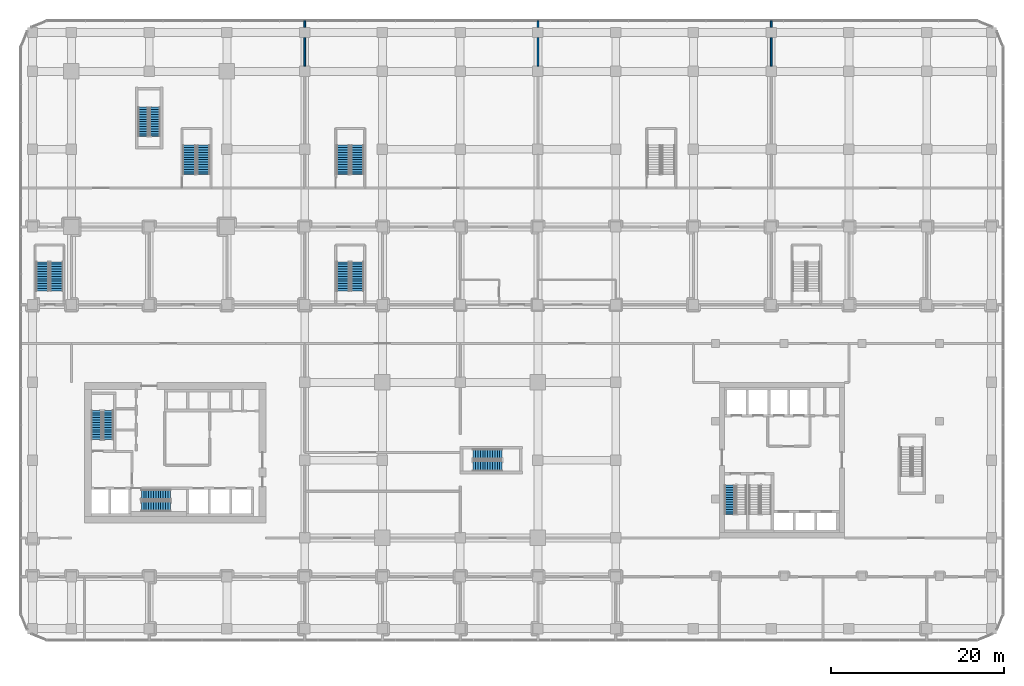
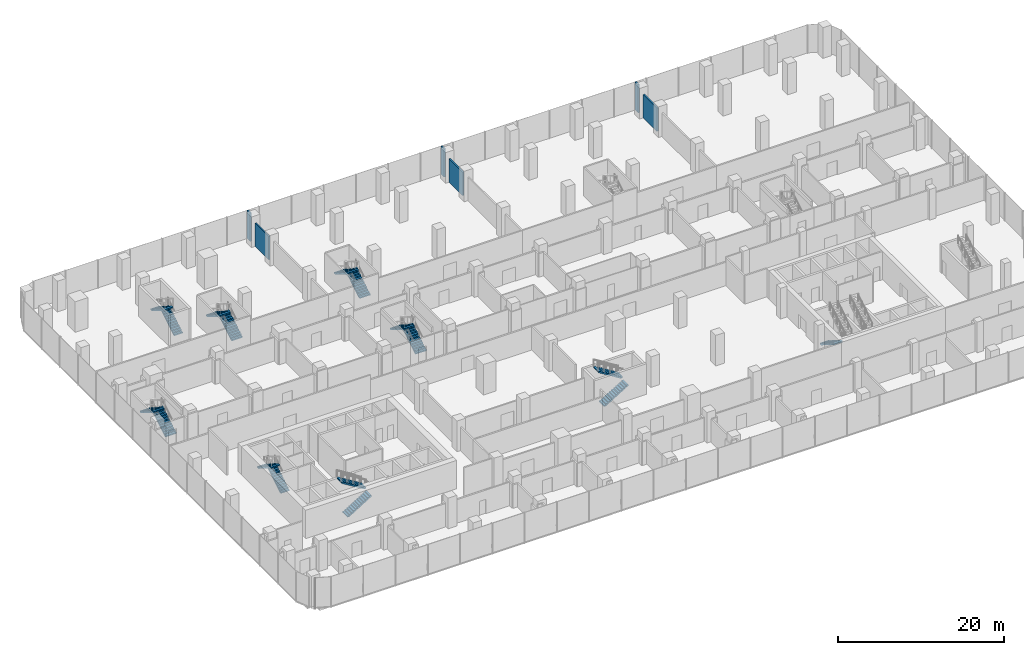
# One storey, part 37 of 43: 17 stair flights, 6 walls, 9 elements without a shape of their own.
"""IFC4 building model written with IfcOpenShell, lengths in metres."""

from ifc_helpers import new_model, si_unit, direction, frame, frame_2d, origin, place, context, subcontext, project, spatial, polyline, rectangle, outline, extrude, material, layer, layer_set, type_object, element, aggregate, save


model = new_model("IFC4")

# Units and contexts
model_context = context("Model", 3, precision=1e-05, world=origin(), true_north=direction((0.0, 1.0)))
body_context = subcontext(model_context, "Body", "Model", "MODEL_VIEW")
ifc_project = project(units=[si_unit("LENGTHUNIT", "METRE"), si_unit("AREAUNIT", "SQUARE_METRE"), si_unit("VOLUMEUNIT", "CUBIC_METRE"), si_unit("PLANEANGLEUNIT", "RADIAN"), si_unit("MASSUNIT", "GRAM", prefix="KILO")], contexts=[model_context])

# Site, building, storey
site_placement = place(None, origin())
site = spatial("IfcSite", under=ifc_project, at=site_placement, CompositionType="ELEMENT")
building_placement = place(site_placement, origin())
building = spatial("IfcBuilding", under=site, at=building_placement, Name="Plateau Cross Towers", CompositionType="ELEMENT")
storey_placement = place(building_placement, frame((0.0, 0.0, 12.800048828125)))
storey = spatial("IfcBuildingStorey", under=building, at=storey_placement, Name="L02", CompositionType="ELEMENT", Elevation=12.800048828125)

# Walls
ifc_material_1 = material(Name="Gypsum board on steel studs", Category="steel")
ifc_layer = layer(ifc_material_1, 0.199951171875)
ifc_layer_set = layer_set([ifc_layer], Name="Gypsum board on steel studs")
wall_type = type_object("IfcWallType", Name="Podium partition 200", PredefinedType="PARTITIONING", material=ifc_layer_set)
wall_1_placement = place(storey_placement, frame((54.0, 59.85009765625, 0.0), z_axis=(0.0, 0.0, 1.0), x_axis=(0.0, -1.0, 0.0)))
element("IfcWall", 1, at=wall_1_placement, inside=storey, type_object=wall_type, Name="Partition wall", PredefinedType="PARTITIONING", context=body_context, shape_type="SweptSolid", body=[
    extrude(rectangle(XDim=0.75, YDim=0.199951171875, at=frame_2d((0.375, 0.0))), origin(), (0.0, 0.0, 1.0), 4.14990234375),
])
wall_2_placement = place(storey_placement, frame((54.0, 57.89990234375, 0.0), z_axis=(0.0, 0.0, 1.0), x_axis=(0.0, -1.0, 0.0)))
element("IfcWall", 2, at=wall_2_placement, inside=storey, type_object=wall_type, Name="Partition wall", PredefinedType="PARTITIONING", context=body_context, shape_type="SweptSolid", body=[
    extrude(rectangle(XDim=3.2998046875, YDim=0.199951171875, at=frame_2d((1.64990234375, 0.0))), origin(), (0.0, 0.0, 1.0), 3.449951171875),
])
wall_3_placement = place(storey_placement, frame((81.0, 59.85009765625, 0.0), z_axis=(0.0, 0.0, 1.0), x_axis=(0.0, -1.0, 0.0)))
element("IfcWall", 3, at=wall_3_placement, inside=storey, type_object=wall_type, Name="Partition wall", PredefinedType="PARTITIONING", context=body_context, shape_type="SweptSolid", body=[
    extrude(rectangle(XDim=0.75, YDim=0.199951171875, at=frame_2d((0.375, 0.0))), origin(), (0.0, 0.0, 1.0), 4.14990234375),
])
wall_4_placement = place(storey_placement, frame((81.0, 57.89990234375, 0.0), z_axis=(0.0, 0.0, 1.0), x_axis=(0.0, -1.0, 0.0)))
element("IfcWall", 4, at=wall_4_placement, inside=storey, type_object=wall_type, Name="Partition wall", PredefinedType="PARTITIONING", context=body_context, shape_type="SweptSolid", body=[
    extrude(rectangle(XDim=3.2998046875, YDim=0.199951171875, at=frame_2d((1.64990234375, 0.0))), origin(), (0.0, 0.0, 1.0), 3.449951171875),
])
wall_5_placement = place(storey_placement, frame((27.0, 59.85009765625, 0.0), z_axis=(0.0, 0.0, 1.0), x_axis=(0.0, -1.0, 0.0)))
element("IfcWall", 5, at=wall_5_placement, inside=storey, type_object=wall_type, Name="Partition wall", PredefinedType="PARTITIONING", context=body_context, shape_type="SweptSolid", body=[
    extrude(rectangle(XDim=0.75, YDim=0.199951171875, at=frame_2d((0.375, 0.0))), origin(), (0.0, 0.0, 1.0), 4.14990234375),
])
wall_6_placement = place(storey_placement, frame((27.0, 57.89990234375, 0.0), z_axis=(0.0, 0.0, 1.0), x_axis=(0.0, -1.0, 0.0)))
element("IfcWall", 6, at=wall_6_placement, inside=storey, type_object=wall_type, Name="Partition wall", PredefinedType="PARTITIONING", context=body_context, shape_type="SweptSolid", body=[
    extrude(rectangle(XDim=3.2998046875, YDim=0.199951171875, at=frame_2d((1.64990234375, 0.0))), origin(), (0.0, 0.0, 1.0), 3.449951171875),
])

# Stair, stair flights
ifc_material_2 = material(Name="Concrete C40/50", Category="concrete")
stair_type_1 = type_object("IfcStairType", Name="Podium exit stair 1500", PredefinedType="HALF_TURN_STAIR", material=ifc_material_2)
stair_1_placement = place(storey_placement, origin())
stair_1 = element("IfcStair", 7, at=stair_1_placement, inside=storey, type_object=stair_type_1, Name="L02 Exit Stair 1", PredefinedType="HALF_TURN_STAIR")
stair_flight_type_1 = type_object("IfcStairFlightType", Name="Podium stair flight 1500", PredefinedType="STRAIGHT", material=ifc_material_2)
stair_flight_1_placement = place(storey_placement, frame((33.10009765625, 28.60009765625, 0.0), z_axis=(0.0, 0.0, 1.0), x_axis=(0.0, 1.0, 0.0)))
stair_flight_1 = element("IfcStairFlight", 8, at=stair_flight_1_placement, type_object=stair_flight_type_1, Name="PS1 flight 1", NumberOfRisers=13, NumberOfTreads=12, PredefinedType="STRAIGHT", RiserHeight=0.173076923, TreadLength=0.28, context=body_context, shape_type="SweptSolid", body=[
    extrude(outline(polyline([(-0.0048828125, -0.010009765625), (-0.0048828125, 0.0), (0.0, 0.0), (0.0, 0.173095703125), (0.280029296875, 0.173095703125), (0.280029296875, 0.34619140625), (0.56005859375, 0.34619140625), (0.56005859375, 0.519287109375), (0.840087890625, 0.519287109375), (0.840087890625, 0.6923828125), (1.1201171875, 0.6923828125), (1.1201171875, 0.865478515625), (1.39990234375, 0.865478515625), (1.39990234375, 1.03857421875), (1.679931640625, 1.03857421875), (1.679931640625, 1.21142578125), (1.9599609375, 1.21142578125), (1.9599609375, 1.384521484375), (2.239990234375, 1.384521484375), (2.239990234375, 1.5576171875), (2.52001953125, 1.5576171875), (2.52001953125, 1.730712890625), (2.800048828125, 1.730712890625), (2.800048828125, 1.90380859375), (3.080078125, 1.90380859375), (3.080078125, 2.076904296875), (3.360107421875, 2.076904296875), (3.364990234375, 2.06689453125), (3.364990234375, 1.900634765625), (3.360107421875, 1.900634765625), (0.28515625, 0.0), (0.02001953125, 0.0), (0.02001953125, -0.010009765625), (-0.0048828125, -0.010009765625)])), frame((0.0, 0.75, 0.0), z_axis=(0.0, -1.0, 0.0), x_axis=(1.0, 0.0, 0.0)), (0.0, 0.0, 1.0), 1.5),
])
stair_flight_2_placement = place(storey_placement, frame((31.449951171875, 31.9599609375, 2.25), z_axis=(0.0, 0.0, 1.0), x_axis=(0.0, -1.0, 0.0)))
stair_flight_2 = element("IfcStairFlight", 9, at=stair_flight_2_placement, type_object=stair_flight_type_1, Name="PS1 flight 2", NumberOfRisers=13, NumberOfTreads=12, PredefinedType="STRAIGHT", RiserHeight=0.173076923, TreadLength=0.28, context=body_context, shape_type="SweptSolid", body=[
    extrude(outline(polyline([(-0.0048828125, -0.010009765625), (-0.0048828125, 0.0), (0.0, 0.0), (0.0, 0.173095703125), (0.280029296875, 0.173095703125), (0.280029296875, 0.34619140625), (0.56005859375, 0.34619140625), (0.56005859375, 0.519287109375), (0.840087890625, 0.519287109375), (0.840087890625, 0.6923828125), (1.1201171875, 0.6923828125), (1.1201171875, 0.865478515625), (1.39990234375, 0.865478515625), (1.39990234375, 1.03857421875), (1.679931640625, 1.03857421875), (1.679931640625, 1.21142578125), (1.9599609375, 1.21142578125), (1.9599609375, 1.384521484375), (2.239990234375, 1.384521484375), (2.239990234375, 1.5576171875), (2.52001953125, 1.5576171875), (2.52001953125, 1.730712890625), (2.800048828125, 1.730712890625), (2.800048828125, 1.90380859375), (3.080078125, 1.90380859375), (3.080078125, 2.076904296875), (3.360107421875, 2.076904296875), (3.364990234375, 2.06689453125), (3.364990234375, 1.900634765625), (3.360107421875, 1.900634765625), (0.28515625, 0.0), (0.02001953125, 0.0), (0.02001953125, -0.010009765625), (-0.0048828125, -0.010009765625)])), frame((0.0, 0.75, 0.0), z_axis=(0.0, -1.0, 0.0), x_axis=(1.0, 0.0, 0.0)), (0.0, 0.0, 1.0), 1.5),
])
aggregate(stair_1, [stair_flight_1, stair_flight_2])

stair_2_placement = place(storey_placement, origin())
stair_2 = element("IfcStair", 10, at=stair_2_placement, inside=storey, type_object=stair_type_1, Name="L02 Exit Stair 2", PredefinedType="HALF_TURN_STAIR")
stair_flight_3_placement = place(storey_placement, frame((33.10009765625, 42.10009765625, 0.0), z_axis=(0.0, 0.0, 1.0), x_axis=(0.0, 1.0, 0.0)))
stair_flight_3 = element("IfcStairFlight", 11, at=stair_flight_3_placement, type_object=stair_flight_type_1, Name="PS2 flight 1", NumberOfRisers=13, NumberOfTreads=12, PredefinedType="STRAIGHT", RiserHeight=0.173076923, TreadLength=0.28, context=body_context, shape_type="SweptSolid", body=[
    extrude(outline(polyline([(-0.0048828125, -0.010009765625), (-0.0048828125, 0.0), (0.0, 0.0), (0.0, 0.173095703125), (0.280029296875, 0.173095703125), (0.280029296875, 0.34619140625), (0.56005859375, 0.34619140625), (0.56005859375, 0.519287109375), (0.840087890625, 0.519287109375), (0.840087890625, 0.6923828125), (1.1201171875, 0.6923828125), (1.1201171875, 0.865478515625), (1.39990234375, 0.865478515625), (1.39990234375, 1.03857421875), (1.679931640625, 1.03857421875), (1.679931640625, 1.21142578125), (1.9599609375, 1.21142578125), (1.9599609375, 1.384521484375), (2.239990234375, 1.384521484375), (2.239990234375, 1.5576171875), (2.52001953125, 1.5576171875), (2.52001953125, 1.730712890625), (2.800048828125, 1.730712890625), (2.800048828125, 1.90380859375), (3.080078125, 1.90380859375), (3.080078125, 2.076904296875), (3.360107421875, 2.076904296875), (3.364990234375, 2.06689453125), (3.364990234375, 1.900634765625), (3.360107421875, 1.900634765625), (0.28515625, 0.0), (0.02001953125, 0.0), (0.02001953125, -0.010009765625), (-0.0048828125, -0.010009765625)])), frame((0.0, 0.75, 0.0), z_axis=(0.0, -1.0, 0.0), x_axis=(1.0, 0.0, 0.0)), (0.0, 0.0, 1.0), 1.5),
])
stair_flight_4_placement = place(storey_placement, frame((31.449951171875, 45.4599609375, 2.25), z_axis=(0.0, 0.0, 1.0), x_axis=(0.0, -1.0, 0.0)))
stair_flight_4 = element("IfcStairFlight", 12, at=stair_flight_4_placement, type_object=stair_flight_type_1, Name="PS2 flight 2", NumberOfRisers=13, NumberOfTreads=12, PredefinedType="STRAIGHT", RiserHeight=0.173076923, TreadLength=0.28, context=body_context, shape_type="SweptSolid", body=[
    extrude(outline(polyline([(-0.0048828125, -0.010009765625), (-0.0048828125, 0.0), (0.0, 0.0), (0.0, 0.173095703125), (0.280029296875, 0.173095703125), (0.280029296875, 0.34619140625), (0.56005859375, 0.34619140625), (0.56005859375, 0.519287109375), (0.840087890625, 0.519287109375), (0.840087890625, 0.6923828125), (1.1201171875, 0.6923828125), (1.1201171875, 0.865478515625), (1.39990234375, 0.865478515625), (1.39990234375, 1.03857421875), (1.679931640625, 1.03857421875), (1.679931640625, 1.21142578125), (1.9599609375, 1.21142578125), (1.9599609375, 1.384521484375), (2.239990234375, 1.384521484375), (2.239990234375, 1.5576171875), (2.52001953125, 1.5576171875), (2.52001953125, 1.730712890625), (2.800048828125, 1.730712890625), (2.800048828125, 1.90380859375), (3.080078125, 1.90380859375), (3.080078125, 2.076904296875), (3.360107421875, 2.076904296875), (3.364990234375, 2.06689453125), (3.364990234375, 1.900634765625), (3.360107421875, 1.900634765625), (0.28515625, 0.0), (0.02001953125, 0.0), (0.02001953125, -0.010009765625), (-0.0048828125, -0.010009765625)])), frame((0.0, 0.75, 0.0), z_axis=(0.0, -1.0, 0.0), x_axis=(1.0, 0.0, 0.0)), (0.0, 0.0, 1.0), 1.5),
])
aggregate(stair_2, [stair_flight_3, stair_flight_4])

stair_3_placement = place(storey_placement, origin())
stair_3 = element("IfcStair", 13, at=stair_3_placement, inside=storey, type_object=stair_type_1, Name="L02 Exit Stair 4", PredefinedType="HALF_TURN_STAIR")
stair_flight_5_placement = place(storey_placement, frame((-1.699951171875, 28.60009765625, 0.0), z_axis=(0.0, 0.0, 1.0), x_axis=(0.0, 1.0, 0.0)))
stair_flight_5 = element("IfcStairFlight", 14, at=stair_flight_5_placement, type_object=stair_flight_type_1, Name="PS4 flight 1", NumberOfRisers=13, NumberOfTreads=12, PredefinedType="STRAIGHT", RiserHeight=0.173076923, TreadLength=0.28, context=body_context, shape_type="SweptSolid", body=[
    extrude(outline(polyline([(-0.0048828125, -0.010009765625), (-0.0048828125, 0.0), (0.0, 0.0), (0.0, 0.173095703125), (0.280029296875, 0.173095703125), (0.280029296875, 0.34619140625), (0.56005859375, 0.34619140625), (0.56005859375, 0.519287109375), (0.840087890625, 0.519287109375), (0.840087890625, 0.6923828125), (1.1201171875, 0.6923828125), (1.1201171875, 0.865478515625), (1.39990234375, 0.865478515625), (1.39990234375, 1.03857421875), (1.679931640625, 1.03857421875), (1.679931640625, 1.21142578125), (1.9599609375, 1.21142578125), (1.9599609375, 1.384521484375), (2.239990234375, 1.384521484375), (2.239990234375, 1.5576171875), (2.52001953125, 1.5576171875), (2.52001953125, 1.730712890625), (2.800048828125, 1.730712890625), (2.800048828125, 1.90380859375), (3.080078125, 1.90380859375), (3.080078125, 2.076904296875), (3.360107421875, 2.076904296875), (3.364990234375, 2.06689453125), (3.364990234375, 1.900634765625), (3.360107421875, 1.900634765625), (0.28515625, 0.0), (0.02001953125, 0.0), (0.02001953125, -0.010009765625), (-0.0048828125, -0.010009765625)])), frame((0.0, 0.75, 0.0), z_axis=(0.0, -1.0, 0.0), x_axis=(1.0, 0.0, 0.0)), (0.0, 0.0, 1.0), 1.5),
])
stair_flight_6_placement = place(storey_placement, frame((-3.35009765625, 31.9599609375, 2.25), z_axis=(0.0, 0.0, 1.0), x_axis=(0.0, -1.0, 0.0)))
stair_flight_6 = element("IfcStairFlight", 15, at=stair_flight_6_placement, type_object=stair_flight_type_1, Name="PS4 flight 2", NumberOfRisers=13, NumberOfTreads=12, PredefinedType="STRAIGHT", RiserHeight=0.173076923, TreadLength=0.28, context=body_context, shape_type="SweptSolid", body=[
    extrude(outline(polyline([(-0.0048828125, -0.010009765625), (-0.0048828125, 0.0), (0.0, 0.0), (0.0, 0.173095703125), (0.280029296875, 0.173095703125), (0.280029296875, 0.34619140625), (0.56005859375, 0.34619140625), (0.56005859375, 0.519287109375), (0.840087890625, 0.519287109375), (0.840087890625, 0.6923828125), (1.1201171875, 0.6923828125), (1.1201171875, 0.865478515625), (1.39990234375, 0.865478515625), (1.39990234375, 1.03857421875), (1.679931640625, 1.03857421875), (1.679931640625, 1.21142578125), (1.9599609375, 1.21142578125), (1.9599609375, 1.384521484375), (2.239990234375, 1.384521484375), (2.239990234375, 1.5576171875), (2.52001953125, 1.5576171875), (2.52001953125, 1.730712890625), (2.800048828125, 1.730712890625), (2.800048828125, 1.90380859375), (3.080078125, 1.90380859375), (3.080078125, 2.076904296875), (3.360107421875, 2.076904296875), (3.364990234375, 2.06689453125), (3.364990234375, 1.900634765625), (3.360107421875, 1.900634765625), (0.28515625, 0.0), (0.02001953125, 0.0), (0.02001953125, -0.010009765625), (-0.0048828125, -0.010009765625)])), frame((0.0, 0.75, 0.0), z_axis=(0.0, -1.0, 0.0), x_axis=(1.0, 0.0, 0.0)), (0.0, 0.0, 1.0), 1.5),
])
aggregate(stair_3, [stair_flight_5, stair_flight_6])

stair_4_placement = place(storey_placement, origin())
stair_4 = element("IfcStair", 16, at=stair_4_placement, inside=storey, type_object=stair_type_1, Name="L02 Exit Stair 6", PredefinedType="HALF_TURN_STAIR")
stair_flight_7_placement = place(storey_placement, frame((15.300048828125, 42.10009765625, 0.0), z_axis=(0.0, 0.0, 1.0), x_axis=(0.0, 1.0, 0.0)))
stair_flight_7 = element("IfcStairFlight", 17, at=stair_flight_7_placement, type_object=stair_flight_type_1, Name="PS6 flight 1", NumberOfRisers=13, NumberOfTreads=12, PredefinedType="STRAIGHT", RiserHeight=0.173076923, TreadLength=0.28, context=body_context, shape_type="SweptSolid", body=[
    extrude(outline(polyline([(-0.0048828125, -0.010009765625), (-0.0048828125, 0.0), (0.0, 0.0), (0.0, 0.173095703125), (0.280029296875, 0.173095703125), (0.280029296875, 0.34619140625), (0.56005859375, 0.34619140625), (0.56005859375, 0.519287109375), (0.840087890625, 0.519287109375), (0.840087890625, 0.6923828125), (1.1201171875, 0.6923828125), (1.1201171875, 0.865478515625), (1.39990234375, 0.865478515625), (1.39990234375, 1.03857421875), (1.679931640625, 1.03857421875), (1.679931640625, 1.21142578125), (1.9599609375, 1.21142578125), (1.9599609375, 1.384521484375), (2.239990234375, 1.384521484375), (2.239990234375, 1.5576171875), (2.52001953125, 1.5576171875), (2.52001953125, 1.730712890625), (2.800048828125, 1.730712890625), (2.800048828125, 1.90380859375), (3.080078125, 1.90380859375), (3.080078125, 2.076904296875), (3.360107421875, 2.076904296875), (3.364990234375, 2.06689453125), (3.364990234375, 1.900634765625), (3.360107421875, 1.900634765625), (0.28515625, 0.0), (0.02001953125, 0.0), (0.02001953125, -0.010009765625), (-0.0048828125, -0.010009765625)])), frame((0.0, 0.75, 0.0), z_axis=(0.0, -1.0, 0.0), x_axis=(1.0, 0.0, 0.0)), (0.0, 0.0, 1.0), 1.5),
])
stair_flight_8_placement = place(storey_placement, frame((13.64990234375, 45.4599609375, 2.25), z_axis=(0.0, 0.0, 1.0), x_axis=(0.0, -1.0, 0.0)))
stair_flight_8 = element("IfcStairFlight", 18, at=stair_flight_8_placement, type_object=stair_flight_type_1, Name="PS6 flight 2", NumberOfRisers=13, NumberOfTreads=12, PredefinedType="STRAIGHT", RiserHeight=0.173076923, TreadLength=0.28, context=body_context, shape_type="SweptSolid", body=[
    extrude(outline(polyline([(-0.0048828125, -0.010009765625), (-0.0048828125, 0.0), (0.0, 0.0), (0.0, 0.173095703125), (0.280029296875, 0.173095703125), (0.280029296875, 0.34619140625), (0.56005859375, 0.34619140625), (0.56005859375, 0.519287109375), (0.840087890625, 0.519287109375), (0.840087890625, 0.6923828125), (1.1201171875, 0.6923828125), (1.1201171875, 0.865478515625), (1.39990234375, 0.865478515625), (1.39990234375, 1.03857421875), (1.679931640625, 1.03857421875), (1.679931640625, 1.21142578125), (1.9599609375, 1.21142578125), (1.9599609375, 1.384521484375), (2.239990234375, 1.384521484375), (2.239990234375, 1.5576171875), (2.52001953125, 1.5576171875), (2.52001953125, 1.730712890625), (2.800048828125, 1.730712890625), (2.800048828125, 1.90380859375), (3.080078125, 1.90380859375), (3.080078125, 2.076904296875), (3.360107421875, 2.076904296875), (3.364990234375, 2.06689453125), (3.364990234375, 1.900634765625), (3.360107421875, 1.900634765625), (0.28515625, 0.0), (0.02001953125, 0.0), (0.02001953125, -0.010009765625), (-0.0048828125, -0.010009765625)])), frame((0.0, 0.75, 0.0), z_axis=(0.0, -1.0, 0.0), x_axis=(1.0, 0.0, 0.0)), (0.0, 0.0, 1.0), 1.5),
])
aggregate(stair_4, [stair_flight_7, stair_flight_8])

stair_type_2 = type_object("IfcStairType", Name="ST-TWR", PredefinedType="HALF_TURN_STAIR", material=ifc_material_2)
stair_5_placement = place(storey_placement, origin())
stair_5 = element("IfcStair", 19, at=stair_5_placement, inside=storey, type_object=stair_type_2, Name="L02 Protected Exit Stair ST-1", PredefinedType="HALF_TURN_STAIR")
stair_flight_type_2 = type_object("IfcStairFlightType", Name="SFL-RC", PredefinedType="STRAIGHT", material=ifc_material_2)
stair_flight_9_placement = place(storey_placement, frame((4.25, 11.39990234375, 0.0), z_axis=(0.0, 0.0, 1.0), x_axis=(0.0, 1.0, 0.0)))
stair_flight_9 = element("IfcStairFlight", 20, at=stair_flight_9_placement, type_object=stair_flight_type_2, Name="ST-1 flight 1", NumberOfRisers=13, NumberOfTreads=12, PredefinedType="STRAIGHT", RiserHeight=0.173076923, TreadLength=0.28, context=body_context, shape_type="SweptSolid", body=[
    extrude(outline(polyline([(-0.0048828125, -0.010009765625), (-0.0048828125, 0.0), (0.0, 0.0), (0.0, 0.173095703125), (0.280029296875, 0.173095703125), (0.280029296875, 0.34619140625), (0.56005859375, 0.34619140625), (0.56005859375, 0.519287109375), (0.840087890625, 0.519287109375), (0.840087890625, 0.6923828125), (1.1201171875, 0.6923828125), (1.1201171875, 0.865478515625), (1.39990234375, 0.865478515625), (1.39990234375, 1.03857421875), (1.679931640625, 1.03857421875), (1.679931640625, 1.21142578125), (1.9599609375, 1.21142578125), (1.9599609375, 1.384521484375), (2.239990234375, 1.384521484375), (2.239990234375, 1.5576171875), (2.52001953125, 1.5576171875), (2.52001953125, 1.730712890625), (2.800048828125, 1.730712890625), (2.800048828125, 1.90380859375), (3.080078125, 1.90380859375), (3.080078125, 2.076904296875), (3.360107421875, 2.076904296875), (3.364990234375, 2.06689453125), (3.364990234375, 1.900634765625), (3.360107421875, 1.900634765625), (0.28515625, 0.0), (0.02001953125, 0.0), (0.02001953125, -0.010009765625), (-0.0048828125, -0.010009765625)])), frame((0.0, 0.60009765625, 0.0), z_axis=(0.0, -1.0, 0.0), x_axis=(1.0, 0.0, 0.0)), (0.0, 0.0, 1.0), 1.199951171875),
])
stair_flight_10_placement = place(storey_placement, frame((2.89990234375, 14.760009765625, 2.25), z_axis=(0.0, 0.0, 1.0), x_axis=(0.0, -1.0, 0.0)))
stair_flight_10 = element("IfcStairFlight", 21, at=stair_flight_10_placement, type_object=stair_flight_type_2, Name="ST-1 flight 2", NumberOfRisers=13, NumberOfTreads=12, PredefinedType="STRAIGHT", RiserHeight=0.173076923, TreadLength=0.28, context=body_context, shape_type="SweptSolid", body=[
    extrude(outline(polyline([(-0.0048828125, -0.010009765625), (-0.0048828125, 0.0), (0.0, 0.0), (0.0, 0.173095703125), (0.280029296875, 0.173095703125), (0.280029296875, 0.34619140625), (0.56005859375, 0.34619140625), (0.56005859375, 0.519287109375), (0.840087890625, 0.519287109375), (0.840087890625, 0.6923828125), (1.1201171875, 0.6923828125), (1.1201171875, 0.865478515625), (1.39990234375, 0.865478515625), (1.39990234375, 1.03857421875), (1.679931640625, 1.03857421875), (1.679931640625, 1.21142578125), (1.9599609375, 1.21142578125), (1.9599609375, 1.384521484375), (2.239990234375, 1.384521484375), (2.239990234375, 1.5576171875), (2.52001953125, 1.5576171875), (2.52001953125, 1.730712890625), (2.800048828125, 1.730712890625), (2.800048828125, 1.90380859375), (3.080078125, 1.90380859375), (3.080078125, 2.076904296875), (3.360107421875, 2.076904296875), (3.364990234375, 2.06689453125), (3.364990234375, 1.900634765625), (3.360107421875, 1.900634765625), (0.28515625, 0.0), (0.02001953125, 0.0), (0.02001953125, -0.010009765625), (-0.0048828125, -0.010009765625)])), frame((0.0, 0.60009765625, 0.0), z_axis=(0.0, -1.0, 0.0), x_axis=(1.0, 0.0, 0.0)), (0.0, 0.0, 1.0), 1.199951171875),
])
aggregate(stair_5, [stair_flight_9, stair_flight_10])

stair_6_placement = place(storey_placement, origin())
stair_6 = element("IfcStair", 22, at=stair_6_placement, inside=storey, type_object=stair_type_2, Name="L02 Protected Exit Stair ST-2", PredefinedType="HALF_TURN_STAIR")
stair_flight_11_placement = place(storey_placement, frame((8.10009765625, 3.64990234375, 0.0), z_axis=(0.0, 0.0, 1.0), x_axis=(1.0, 0.0, 0.0)))
stair_flight_11 = element("IfcStairFlight", 23, at=stair_flight_11_placement, type_object=stair_flight_type_2, Name="ST-2 flight 1", NumberOfRisers=13, NumberOfTreads=12, PredefinedType="STRAIGHT", RiserHeight=0.173076923, TreadLength=0.28, context=body_context, shape_type="SweptSolid", body=[
    extrude(outline(polyline([(-0.0048828125, -0.010009765625), (-0.0048828125, 0.0), (0.0, 0.0), (0.0, 0.173095703125), (0.280029296875, 0.173095703125), (0.280029296875, 0.34619140625), (0.56005859375, 0.34619140625), (0.56005859375, 0.519287109375), (0.840087890625, 0.519287109375), (0.840087890625, 0.6923828125), (1.1201171875, 0.6923828125), (1.1201171875, 0.865478515625), (1.39990234375, 0.865478515625), (1.39990234375, 1.03857421875), (1.679931640625, 1.03857421875), (1.679931640625, 1.21142578125), (1.9599609375, 1.21142578125), (1.9599609375, 1.384521484375), (2.239990234375, 1.384521484375), (2.239990234375, 1.5576171875), (2.52001953125, 1.5576171875), (2.52001953125, 1.730712890625), (2.800048828125, 1.730712890625), (2.800048828125, 1.90380859375), (3.080078125, 1.90380859375), (3.080078125, 2.076904296875), (3.360107421875, 2.076904296875), (3.364990234375, 2.06689453125), (3.364990234375, 1.900634765625), (3.360107421875, 1.900634765625), (0.28515625, 0.0), (0.02001953125, 0.0), (0.02001953125, -0.010009765625), (-0.0048828125, -0.010009765625)])), frame((0.0, 0.60009765625, 0.0), z_axis=(0.0, -1.0, 0.0), x_axis=(1.0, 0.0, 0.0)), (0.0, 0.0, 1.0), 1.199951171875),
])
stair_flight_12_placement = place(storey_placement, frame((11.4599609375, 5.0, 2.25), z_axis=(0.0, 0.0, 1.0), x_axis=(-1.0, 0.0, 0.0)))
stair_flight_12 = element("IfcStairFlight", 24, at=stair_flight_12_placement, type_object=stair_flight_type_2, Name="ST-2 flight 2", NumberOfRisers=13, NumberOfTreads=12, PredefinedType="STRAIGHT", RiserHeight=0.173076923, TreadLength=0.28, context=body_context, shape_type="SweptSolid", body=[
    extrude(outline(polyline([(-0.0048828125, -0.010009765625), (-0.0048828125, 0.0), (0.0, 0.0), (0.0, 0.173095703125), (0.280029296875, 0.173095703125), (0.280029296875, 0.34619140625), (0.56005859375, 0.34619140625), (0.56005859375, 0.519287109375), (0.840087890625, 0.519287109375), (0.840087890625, 0.6923828125), (1.1201171875, 0.6923828125), (1.1201171875, 0.865478515625), (1.39990234375, 0.865478515625), (1.39990234375, 1.03857421875), (1.679931640625, 1.03857421875), (1.679931640625, 1.21142578125), (1.9599609375, 1.21142578125), (1.9599609375, 1.384521484375), (2.239990234375, 1.384521484375), (2.239990234375, 1.5576171875), (2.52001953125, 1.5576171875), (2.52001953125, 1.730712890625), (2.800048828125, 1.730712890625), (2.800048828125, 1.90380859375), (3.080078125, 1.90380859375), (3.080078125, 2.076904296875), (3.360107421875, 2.076904296875), (3.364990234375, 2.06689453125), (3.364990234375, 1.900634765625), (3.360107421875, 1.900634765625), (0.28515625, 0.0), (0.02001953125, 0.0), (0.02001953125, -0.010009765625), (-0.0048828125, -0.010009765625)])), frame((0.0, 0.60009765625, 0.0), z_axis=(0.0, -1.0, 0.0), x_axis=(1.0, 0.0, 0.0)), (0.0, 0.0, 1.0), 1.199951171875),
])
aggregate(stair_6, [stair_flight_11, stair_flight_12])

# Stair, stair flight
stair_7_placement = place(storey_placement, origin())
stair_7 = element("IfcStair", 25, at=stair_7_placement, inside=storey, type_object=stair_type_2, Name="L02 Protected Exit Stair SB-1", PredefinedType="HALF_TURN_STAIR")
stair_flight_13_placement = place(storey_placement, frame((76.199951171875, 6.10009765625, 0.0), z_axis=(0.0, 0.0, 1.0), x_axis=(0.0, -1.0, 0.0)))
stair_flight_13 = element("IfcStairFlight", 26, at=stair_flight_13_placement, type_object=stair_flight_type_2, Name="SB-1 flight 1", NumberOfRisers=13, NumberOfTreads=12, PredefinedType="STRAIGHT", RiserHeight=0.173076923, TreadLength=0.28, context=body_context, shape_type="SweptSolid", body=[
    extrude(outline(polyline([(-0.0048828125, -0.010009765625), (-0.0048828125, 0.0), (0.0, 0.0), (0.0, 0.173095703125), (0.280029296875, 0.173095703125), (0.280029296875, 0.34619140625), (0.56005859375, 0.34619140625), (0.56005859375, 0.519287109375), (0.840087890625, 0.519287109375), (0.840087890625, 0.6923828125), (1.1201171875, 0.6923828125), (1.1201171875, 0.865478515625), (1.39990234375, 0.865478515625), (1.39990234375, 1.03857421875), (1.679931640625, 1.03857421875), (1.679931640625, 1.21142578125), (1.9599609375, 1.21142578125), (1.9599609375, 1.384521484375), (2.239990234375, 1.384521484375), (2.239990234375, 1.5576171875), (2.52001953125, 1.5576171875), (2.52001953125, 1.730712890625), (2.800048828125, 1.730712890625), (2.800048828125, 1.90380859375), (3.080078125, 1.90380859375), (3.080078125, 2.076904296875), (3.360107421875, 2.076904296875), (3.364990234375, 2.06689453125), (3.364990234375, 1.900634765625), (3.360107421875, 1.900634765625), (0.28515625, 0.0), (0.02001953125, 0.0), (0.02001953125, -0.010009765625), (-0.0048828125, -0.010009765625)])), frame((0.0, 0.60009765625, 0.0), z_axis=(0.0, -1.0, 0.0), x_axis=(1.0, 0.0, 0.0)), (0.0, 0.0, 1.0), 1.199951171875),
])
aggregate(stair_7, [stair_flight_13])

# Stair, stair flights
stair_8_placement = place(storey_placement, origin())
stair_8 = element("IfcStair", 27, at=stair_8_placement, inside=storey, type_object=stair_type_2, Name="L02 Protected Exit Stair E", PredefinedType="HALF_TURN_STAIR")
stair_flight_14_placement = place(storey_placement, frame((46.5, 8.324951171875, 0.0), z_axis=(0.0, 0.0, 1.0), x_axis=(1.0, 0.0, 0.0)))
stair_flight_14 = element("IfcStairFlight", 28, at=stair_flight_14_placement, type_object=stair_flight_type_2, Name="ES-E flight 1", NumberOfRisers=13, NumberOfTreads=12, PredefinedType="STRAIGHT", RiserHeight=0.173076923, TreadLength=0.28, context=body_context, shape_type="SweptSolid", body=[
    extrude(outline(polyline([(-0.0048828125, -0.010009765625), (-0.0048828125, 0.0), (0.0, 0.0), (0.0, 0.173095703125), (0.280029296875, 0.173095703125), (0.280029296875, 0.34619140625), (0.56005859375, 0.34619140625), (0.56005859375, 0.519287109375), (0.840087890625, 0.519287109375), (0.840087890625, 0.6923828125), (1.1201171875, 0.6923828125), (1.1201171875, 0.865478515625), (1.39990234375, 0.865478515625), (1.39990234375, 1.03857421875), (1.679931640625, 1.03857421875), (1.679931640625, 1.21142578125), (1.9599609375, 1.21142578125), (1.9599609375, 1.384521484375), (2.239990234375, 1.384521484375), (2.239990234375, 1.5576171875), (2.52001953125, 1.5576171875), (2.52001953125, 1.730712890625), (2.800048828125, 1.730712890625), (2.800048828125, 1.90380859375), (3.080078125, 1.90380859375), (3.080078125, 2.076904296875), (3.360107421875, 2.076904296875), (3.364990234375, 2.06689453125), (3.364990234375, 1.900634765625), (3.360107421875, 1.900634765625), (0.28515625, 0.0), (0.02001953125, 0.0), (0.02001953125, -0.010009765625), (-0.0048828125, -0.010009765625)])), frame((0.0, 0.60009765625, 0.0), z_axis=(0.0, -1.0, 0.0), x_axis=(1.0, 0.0, 0.0)), (0.0, 0.0, 1.0), 1.199951171875),
])
stair_flight_15_placement = place(storey_placement, frame((49.860107421875, 9.675048828125, 2.25), z_axis=(0.0, 0.0, 1.0), x_axis=(-1.0, 0.0, 0.0)))
stair_flight_15 = element("IfcStairFlight", 29, at=stair_flight_15_placement, type_object=stair_flight_type_2, Name="ES-E flight 2", NumberOfRisers=13, NumberOfTreads=12, PredefinedType="STRAIGHT", RiserHeight=0.173076923, TreadLength=0.28, context=body_context, shape_type="SweptSolid", body=[
    extrude(outline(polyline([(-0.0048828125, -0.010009765625), (-0.0048828125, 0.0), (0.0, 0.0), (0.0, 0.173095703125), (0.280029296875, 0.173095703125), (0.280029296875, 0.34619140625), (0.56005859375, 0.34619140625), (0.56005859375, 0.519287109375), (0.840087890625, 0.519287109375), (0.840087890625, 0.6923828125), (1.1201171875, 0.6923828125), (1.1201171875, 0.865478515625), (1.39990234375, 0.865478515625), (1.39990234375, 1.03857421875), (1.679931640625, 1.03857421875), (1.679931640625, 1.21142578125), (1.9599609375, 1.21142578125), (1.9599609375, 1.384521484375), (2.239990234375, 1.384521484375), (2.239990234375, 1.5576171875), (2.52001953125, 1.5576171875), (2.52001953125, 1.730712890625), (2.800048828125, 1.730712890625), (2.800048828125, 1.90380859375), (3.080078125, 1.90380859375), (3.080078125, 2.076904296875), (3.360107421875, 2.076904296875), (3.364990234375, 2.06689453125), (3.364990234375, 1.900634765625), (3.360107421875, 1.900634765625), (0.28515625, 0.0), (0.02001953125, 0.0), (0.02001953125, -0.010009765625), (-0.0048828125, -0.010009765625)])), frame((0.0, 0.60009765625, 0.0), z_axis=(0.0, -1.0, 0.0), x_axis=(1.0, 0.0, 0.0)), (0.0, 0.0, 1.0), 1.199951171875),
])
aggregate(stair_8, [stair_flight_14, stair_flight_15])

stair_9_placement = place(storey_placement, origin())
stair_9 = element("IfcStair", 30, at=stair_9_placement, inside=storey, type_object=stair_type_2, Name="L02 Protected Exit Stair N", PredefinedType="HALF_TURN_STAIR")
stair_flight_16_placement = place(storey_placement, frame((9.675048828125, 46.5, 0.0), z_axis=(0.0, 0.0, 1.0), x_axis=(0.0, 1.0, 0.0)))
stair_flight_16 = element("IfcStairFlight", 31, at=stair_flight_16_placement, type_object=stair_flight_type_2, Name="ES-N flight 1", NumberOfRisers=13, NumberOfTreads=12, PredefinedType="STRAIGHT", RiserHeight=0.173076923, TreadLength=0.28, context=body_context, shape_type="SweptSolid", body=[
    extrude(outline(polyline([(-0.0048828125, -0.010009765625), (-0.0048828125, 0.0), (0.0, 0.0), (0.0, 0.173095703125), (0.280029296875, 0.173095703125), (0.280029296875, 0.34619140625), (0.56005859375, 0.34619140625), (0.56005859375, 0.519287109375), (0.840087890625, 0.519287109375), (0.840087890625, 0.6923828125), (1.1201171875, 0.6923828125), (1.1201171875, 0.865478515625), (1.39990234375, 0.865478515625), (1.39990234375, 1.03857421875), (1.679931640625, 1.03857421875), (1.679931640625, 1.21142578125), (1.9599609375, 1.21142578125), (1.9599609375, 1.384521484375), (2.239990234375, 1.384521484375), (2.239990234375, 1.5576171875), (2.52001953125, 1.5576171875), (2.52001953125, 1.730712890625), (2.800048828125, 1.730712890625), (2.800048828125, 1.90380859375), (3.080078125, 1.90380859375), (3.080078125, 2.076904296875), (3.360107421875, 2.076904296875), (3.364990234375, 2.06689453125), (3.364990234375, 1.900634765625), (3.360107421875, 1.900634765625), (0.28515625, 0.0), (0.02001953125, 0.0), (0.02001953125, -0.010009765625), (-0.0048828125, -0.010009765625)])), frame((0.0, 0.60009765625, 0.0), z_axis=(0.0, -1.0, 0.0), x_axis=(1.0, 0.0, 0.0)), (0.0, 0.0, 1.0), 1.199951171875),
])
stair_flight_17_placement = place(storey_placement, frame((8.324951171875, 49.860107421875, 2.25), z_axis=(0.0, 0.0, 1.0), x_axis=(0.0, -1.0, 0.0)))
stair_flight_17 = element("IfcStairFlight", 32, at=stair_flight_17_placement, type_object=stair_flight_type_2, Name="ES-N flight 2", NumberOfRisers=13, NumberOfTreads=12, PredefinedType="STRAIGHT", RiserHeight=0.173076923, TreadLength=0.28, context=body_context, shape_type="SweptSolid", body=[
    extrude(outline(polyline([(-0.0048828125, -0.010009765625), (-0.0048828125, 0.0), (0.0, 0.0), (0.0, 0.173095703125), (0.280029296875, 0.173095703125), (0.280029296875, 0.34619140625), (0.56005859375, 0.34619140625), (0.56005859375, 0.519287109375), (0.840087890625, 0.519287109375), (0.840087890625, 0.6923828125), (1.1201171875, 0.6923828125), (1.1201171875, 0.865478515625), (1.39990234375, 0.865478515625), (1.39990234375, 1.03857421875), (1.679931640625, 1.03857421875), (1.679931640625, 1.21142578125), (1.9599609375, 1.21142578125), (1.9599609375, 1.384521484375), (2.239990234375, 1.384521484375), (2.239990234375, 1.5576171875), (2.52001953125, 1.5576171875), (2.52001953125, 1.730712890625), (2.800048828125, 1.730712890625), (2.800048828125, 1.90380859375), (3.080078125, 1.90380859375), (3.080078125, 2.076904296875), (3.360107421875, 2.076904296875), (3.364990234375, 2.06689453125), (3.364990234375, 1.900634765625), (3.360107421875, 1.900634765625), (0.28515625, 0.0), (0.02001953125, 0.0), (0.02001953125, -0.010009765625), (-0.0048828125, -0.010009765625)])), frame((0.0, 0.60009765625, 0.0), z_axis=(0.0, -1.0, 0.0), x_axis=(1.0, 0.0, 0.0)), (0.0, 0.0, 1.0), 1.199951171875),
])
aggregate(stair_9, [stair_flight_16, stair_flight_17])

save(model, "model.ifc")
